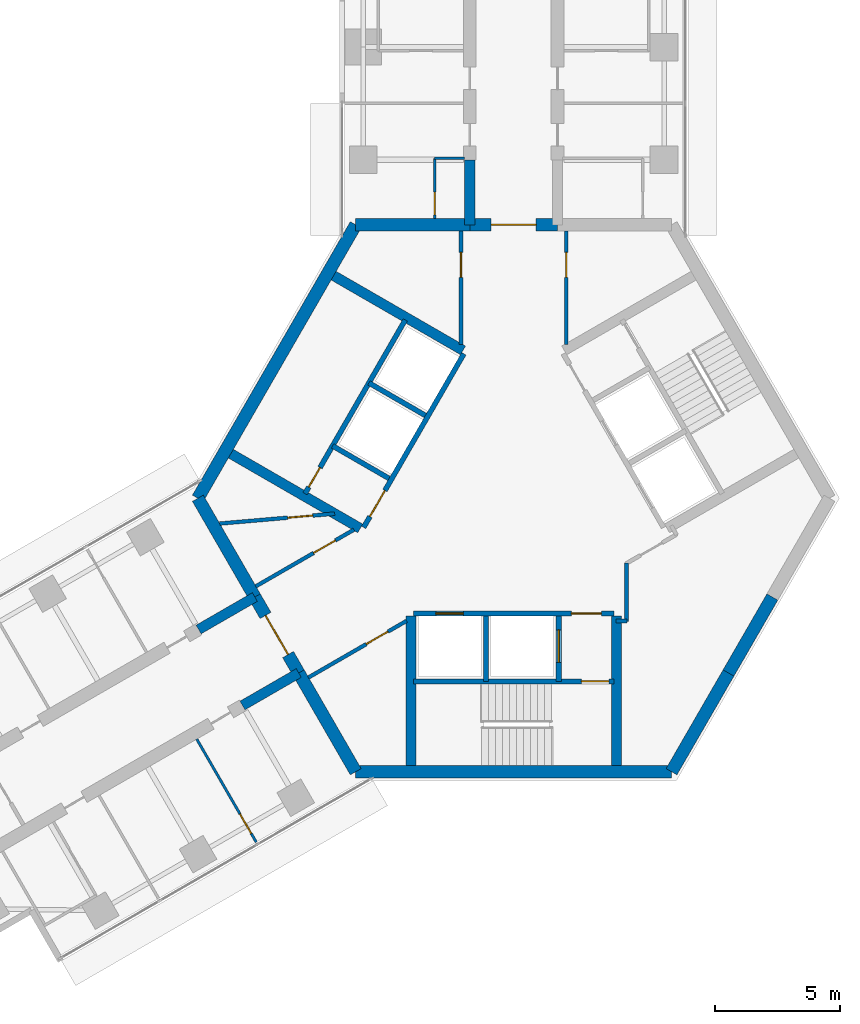
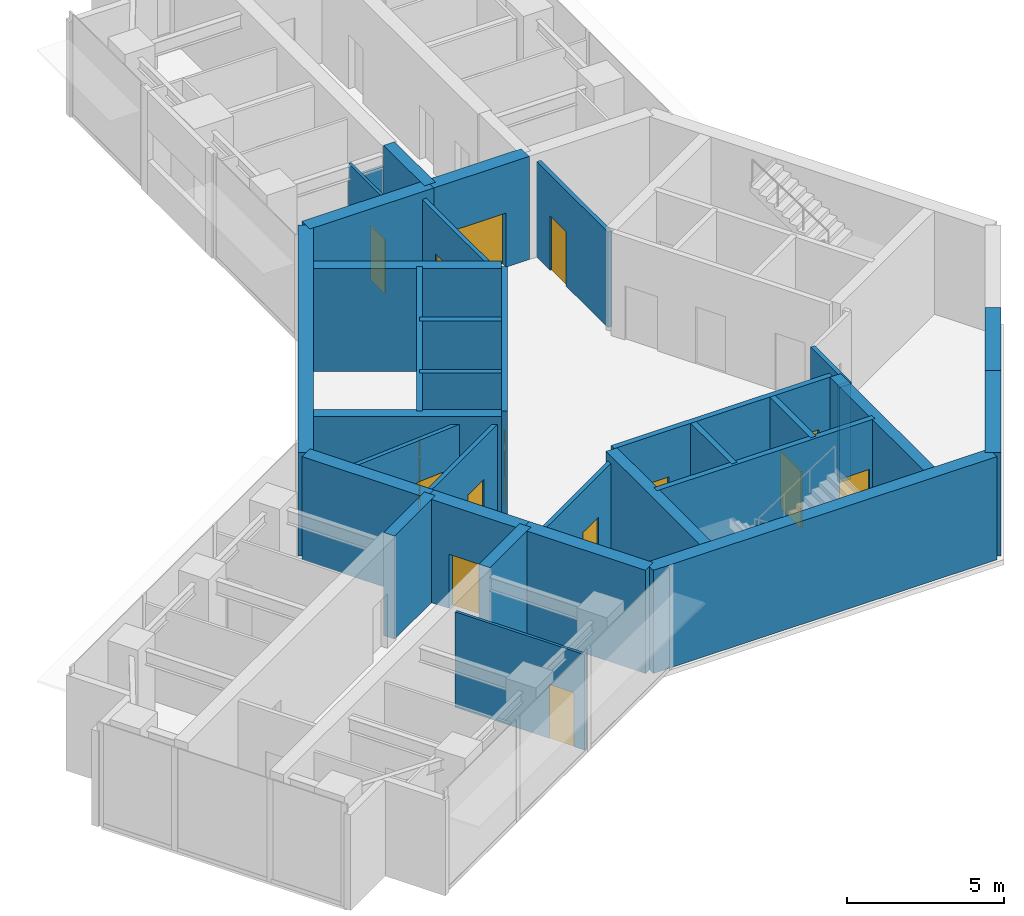
# One storey, part 14 of 17: 34 walls, 15 doors, 15 openings.
"""IFC4 building model written with IfcOpenShell, lengths in metres."""

from ifc_helpers import new_model, si_unit, direction, frame, frame_2d, origin, place, context, subcontext, project, spatial, rectangle, extrude, material, layer, layer_set, type_object, element, fill, save


model = new_model("IFC4")

# Units and contexts
model_context = context("Model", 3, precision=1e-05, world=origin(), true_north=direction((0.0, 1.0)))
body_context = subcontext(model_context, "Body", "Model", "MODEL_VIEW")
ifc_project = project(units=[si_unit("LENGTHUNIT", "METRE"), si_unit("AREAUNIT", "SQUARE_METRE"), si_unit("VOLUMEUNIT", "CUBIC_METRE"), si_unit("PLANEANGLEUNIT", "RADIAN"), si_unit("MASSUNIT", "GRAM", prefix="KILO")], contexts=[model_context])

# Site, building, storey
site_placement = place(None, origin())
site = spatial("IfcSite", under=ifc_project, at=site_placement, CompositionType="ELEMENT")
building_placement = place(site_placement, origin())
building = spatial("IfcBuilding", under=site, at=building_placement, Name="Upepo Twin Towers", CompositionType="ELEMENT")
storey_placement = place(building_placement, frame((0.0, 0.0, 234.5)))
storey = spatial("IfcBuildingStorey", under=building, at=storey_placement, Name="L57", CompositionType="ELEMENT", Elevation=234.5)

# Walls
ifc_material_1 = material(Name="Concrete C60/75", Category="concrete")
ifc_layer_1 = layer(ifc_material_1, 0.39990234375)
ifc_layer_set_1 = layer_set([ifc_layer_1], Name="Concrete C60/75")
wall_type_1 = type_object("IfcWallType", Name="Buttress wall 400 RC", PredefinedType="SHEAR", material=ifc_layer_set_1)
wall_1_placement = place(storey_placement, frame((56.75, -7.091552734375, 0.0), z_axis=(0.0, 0.0, 1.0), x_axis=(0.0, 1.0, 0.0)))
element("IfcWall", 1, at=wall_1_placement, inside=storey, type_object=wall_type_1, Name="T2 wing A buttress wall L", PredefinedType="SHEAR", context=body_context, shape_type="SweptSolid", body=[
    extrude(rectangle(XDim=2.591552734375, YDim=0.39990234375, at=frame_2d((1.2958984375, 0.0))), origin(), (0.0, 0.0, 1.0), 4.0),
])
for number, where, z_axis, x_axis, name in (
    (2, (49.92822265625, -24.9697265625, 0.0), (0.0, 0.0, 1.0), (-0.866031863473, -0.499988811324, 0.0), "T2 wing B buttress wall L"),
    (3, (48.17822265625, -21.938720703125, 0.0), (0.0, 0.0, 1.0), (-0.866072649678, -0.499918158782, 0.0), "T2 wing B buttress wall R"),
):
    element("IfcWall", number, at=place(storey_placement, frame(where, z_axis=z_axis, x_axis=x_axis)), inside=storey, type_object=wall_type_1, Name=name, PredefinedType="SHEAR", context=body_context, shape_type="SweptSolid", body=[
        extrude(rectangle(XDim=2.591796875, YDim=0.39990234375, at=frame_2d((1.2958984375, 0.0))), origin(), (0.0, 0.0, 1.0), 4.0),
    ])

# Wall, opening, door
ifc_material_2 = material(Name="Concrete C60/75", Category="concrete")
ifc_layer_2 = layer(ifc_material_2, 0.5)
ifc_layer_set_2 = layer_set([ifc_layer_2], Name="Concrete C60/75")
wall_type_2 = type_object("IfcWallType", Name="Core wall 500 RC", PredefinedType="SHEAR", material=ifc_layer_set_2)
wall_2_placement = place(storey_placement, frame((60.25, -7.091552734375, 0.0), z_axis=(0.0, 0.0, 1.0), x_axis=(-1.0, 0.0, 0.0)))
wall_2 = element("IfcWall", 4, at=wall_2_placement, inside=storey, type_object=wall_type_2, Name="T2 core wall 000", PredefinedType="SHEAR", context=body_context, shape_type="SweptSolid", body=[
    extrude(rectangle(XDim=3.5, YDim=0.5, at=frame_2d((1.75, 0.0))), origin(), (0.0, 0.0, 1.0), 4.0),
])
opening_1_placement = place(wall_2_placement, frame((0.85009765625, 0.0, 0.0)))
opening_1 = element("IfcOpeningElement", 5, at=opening_1_placement, cuts=wall_2, Name="Opening D2", PredefinedType="OPENING", context=body_context, shape_type="SweptSolid", body=[
    extrude(rectangle(XDim=1.800048828125, YDim=2.10009765625, at=frame_2d((0.89990234375, 1.050048828125))), frame((0.0, 0.260009765625, 0.0), z_axis=(0.0, -1.0, 0.0), x_axis=(1.0, 0.0, 0.0)), (0.0, 0.0, 1.0), 0.52001953125),
])
ifc_material_3 = material(Name="Timber doorset", Category="wood")
door_type_1 = type_object("IfcDoorType", Name="Corridor double door 1800 FD60", OperationType="DOUBLE_DOOR_DOUBLE_SWING", PredefinedType="DOOR", material=ifc_material_3)
door_1_placement = place(opening_1_placement, origin())
door_1 = element("IfcDoor", 6, at=door_1_placement, inside=storey, type_object=door_type_1, Name="T2 L57 wing A corridor door", OperationType="DOUBLE_DOOR_DOUBLE_SWING", OverallHeight=2.10009765625, OverallWidth=1.800048828125, PredefinedType="DOOR", context=body_context, shape_type="SweptSolid", body=[
    extrude(rectangle(XDim=1.800048828125, YDim=2.10009765625, at=frame_2d((0.89990234375, 1.050048828125))), frame((0.0, 0.02490234375, 0.0), z_axis=(0.0, -1.0, 0.0), x_axis=(1.0, 0.0, 0.0)), (0.0, 0.0, 1.0), 0.050048828125),
])
fill(opening_1, door_1)

# Walls
wall_3_placement = place(storey_placement, frame((56.75, -7.091552734375, 0.0), z_axis=(0.0, 0.0, 1.0), x_axis=(-1.0, 0.0, 0.0)))
element("IfcWall", 7, at=wall_3_placement, inside=storey, type_object=wall_type_2, Name="T2 core wall 000 L", PredefinedType="SHEAR", context=body_context, shape_type="SweptSolid", body=[
    extrude(rectangle(XDim=4.5478515625, YDim=0.5, at=frame_2d((2.27392578125, 0.0))), origin(), (0.0, 0.0, 1.0), 4.0),
])
wall_4_placement = place(storey_placement, frame((52.2021484375, -7.091552734375, 0.0), z_axis=(0.0, 0.0, 1.0), x_axis=(-0.500005998175, -0.866021940709, 0.0)))
element("IfcWall", 8, at=wall_4_placement, inside=storey, type_object=wall_type_2, Name="T2 core wall 060", PredefinedType="SHEAR", context=body_context, shape_type="SweptSolid", body=[
    extrude(rectangle(XDim=12.595947265625, YDim=0.5, at=frame_2d((6.2978515625, 0.0))), origin(), (0.0, 0.0, 1.0), 4.0),
])
wall_5_placement = place(storey_placement, frame((45.904052734375, -18.0, 0.0), z_axis=(0.0, 0.0, 1.0), x_axis=(0.500024481964, -0.866011268655, 0.0)))
element("IfcWall", 9, at=wall_5_placement, inside=storey, type_object=wall_type_2, Name="T2 core wall 120 R", PredefinedType="SHEAR", context=body_context, shape_type="SweptSolid", body=[
    extrude(rectangle(XDim=4.548095703125, YDim=0.5, at=frame_2d((2.27392578125, 0.0))), origin(), (0.0, 0.0, 1.0), 4.0),
])

# Wall, opening, door
wall_6_placement = place(storey_placement, frame((48.17822265625, -21.938720703125, 0.0), z_axis=(0.0, 0.0, 1.0), x_axis=(0.500010275428, -0.866019471182, 0.0)))
wall_6 = element("IfcWall", 10, at=wall_6_placement, inside=storey, type_object=wall_type_2, Name="T2 core wall 120", PredefinedType="SHEAR", context=body_context, shape_type="SweptSolid", body=[
    extrude(rectangle(XDim=3.5, YDim=0.5, at=frame_2d((1.75, 0.0))), origin(), (0.0, 0.0, 1.0), 4.0),
])
opening_2_placement = place(wall_6_placement, frame((0.85009765625, 0.0, 0.0)))
opening_2 = element("IfcOpeningElement", 11, at=opening_2_placement, cuts=wall_6, Name="Opening D2", PredefinedType="OPENING", context=body_context, shape_type="SweptSolid", body=[
    extrude(rectangle(XDim=1.800048828125, YDim=2.10009765625, at=frame_2d((0.89990234375, 1.050048828125))), frame((0.0, 0.260009765625, 0.0), z_axis=(0.0, -1.0, 0.0), x_axis=(1.0, 0.0, 0.0)), (0.0, 0.0, 1.0), 0.52001953125),
])
door_2_placement = place(opening_2_placement, origin())
door_2 = element("IfcDoor", 12, at=door_2_placement, inside=storey, type_object=door_type_1, Name="T2 L57 wing B corridor door", OperationType="DOUBLE_DOOR_DOUBLE_SWING", OverallHeight=2.10009765625, OverallWidth=1.800048828125, PredefinedType="DOOR", context=body_context, shape_type="SweptSolid", body=[
    extrude(rectangle(XDim=1.800048828125, YDim=2.10009765625, at=frame_2d((0.89990234375, 1.050048828125))), frame((0.0, 0.02490234375, 0.0), z_axis=(0.0, -1.0, 0.0), x_axis=(1.0, 0.0, 0.0)), (0.0, 0.0, 1.0), 0.050048828125),
])
fill(opening_2, door_2)

# Walls
wall_7_placement = place(storey_placement, frame((49.92822265625, -24.9697265625, 0.0), z_axis=(0.0, 0.0, 1.0), x_axis=(0.499984222037, -0.866034513004, 0.0)))
element("IfcWall", 13, at=wall_7_placement, inside=storey, type_object=wall_type_2, Name="T2 core wall 120 L", PredefinedType="SHEAR", context=body_context, shape_type="SweptSolid", body=[
    extrude(rectangle(XDim=4.548095703125, YDim=0.5, at=frame_2d((2.27392578125, 0.0))), origin(), (0.0, 0.0, 1.0), 4.0),
])
wall_8_placement = place(storey_placement, frame((52.2021484375, -28.908447265625, 0.0), z_axis=(0.0, 0.0, 1.0), x_axis=(1.0, 0.0, 0.0)))
element("IfcWall", 14, at=wall_8_placement, inside=storey, type_object=wall_type_2, Name="T2 core wall 180", PredefinedType="SHEAR", context=body_context, shape_type="SweptSolid", body=[
    extrude(rectangle(XDim=12.595703125, YDim=0.5, at=frame_2d((6.2978515625, 0.0))), origin(), (0.0, 0.0, 1.0), 4.0),
])
wall_9_placement = place(storey_placement, frame((64.7978515625, -28.908447265625, 0.0), z_axis=(0.0, 0.0, 1.0), x_axis=(0.499984222037, 0.866034513004, 0.0)))
element("IfcWall", 15, at=wall_9_placement, inside=storey, type_object=wall_type_2, Name="T2 core wall 240 R", PredefinedType="SHEAR", context=body_context, shape_type="SweptSolid", body=[
    extrude(rectangle(XDim=4.548095703125, YDim=0.5, at=frame_2d((2.27392578125, 0.0))), origin(), (0.0, 0.0, 1.0), 4.0),
])
wall_10_placement = place(storey_placement, frame((67.07177734375, -24.9697265625, 0.0), z_axis=(0.0, 0.0, 1.0), x_axis=(0.500010275428, 0.866019471182, 0.0)))
element("IfcWall", 16, at=wall_10_placement, inside=storey, type_object=wall_type_2, Name="T2 core wall 240", PredefinedType="SHEAR", context=body_context, shape_type="SweptSolid", body=[
    extrude(rectangle(XDim=3.5, YDim=0.5, at=frame_2d((1.75, 0.0))), origin(), (0.0, 0.0, 1.0), 4.0),
])

# Wall, opening, door
ifc_material_4 = material(Name="Gypsum board on steel studs", Category="steel")
ifc_layer_3 = layer(ifc_material_4, 0.10009765625)
ifc_layer_set_3 = layer_set([ifc_layer_3], Name="Office partition 100 stud")
wall_type_3 = type_object("IfcWallType", Name="Office partition 100 stud", PredefinedType="PARTITIONING", material=ifc_layer_set_3)
wall_11_placement = place(storey_placement, frame((55.35009765625, -6.842041015625, 0.0), z_axis=(0.0, 0.0, 1.0), x_axis=(0.0, 1.0, 0.0)))
wall_11 = element("IfcWall", 17, at=wall_11_placement, inside=storey, type_object=wall_type_3, Name="T2 WC bay partition AL at 11.16", PredefinedType="PARTITIONING", context=body_context, shape_type="SweptSolid", body=[
    extrude(rectangle(XDim=2.400146484375, YDim=0.10009765625, at=frame_2d((1.2001953125, 0.0))), origin(), (0.0, 0.0, 1.0), 3.699951171875),
])
opening_3_placement = place(wall_11_placement, frame((0.14990234375, 0.0, 0.0)))
opening_3 = element("IfcOpeningElement", 18, at=opening_3_placement, cuts=wall_11, Name="Opening D14", PredefinedType="OPENING", context=body_context, shape_type="SweptSolid", body=[
    extrude(rectangle(XDim=0.89990234375, YDim=2.10009765625, at=frame_2d((0.449951171875, 1.050048828125))), frame((0.0, 0.06005859375, 0.0), z_axis=(0.0, -1.0, 0.0), x_axis=(1.0, 0.0, 0.0)), (0.0, 0.0, 1.0), 0.1201171875),
])
ifc_material_5 = material(Name="Timber doorset", Category="wood")
door_type_2 = type_object("IfcDoorType", Name="Office door 900 FD30", OperationType="SINGLE_SWING_LEFT", PredefinedType="DOOR", material=ifc_material_5)
door_3_placement = place(opening_3_placement, origin())
door_3 = element("IfcDoor", 19, at=door_3_placement, inside=storey, type_object=door_type_2, Name="T2 L57 WC bay inner room door", OperationType="SINGLE_SWING_LEFT", OverallHeight=2.10009765625, OverallWidth=0.89990234375, PredefinedType="DOOR", context=body_context, shape_type="SweptSolid", body=[
    extrude(rectangle(XDim=0.89990234375, YDim=2.10009765625, at=frame_2d((0.449951171875, 1.050048828125))), frame((0.0, 0.02490234375, 0.0), z_axis=(0.0, -1.0, 0.0), x_axis=(1.0, 0.0, 0.0)), (0.0, 0.0, 1.0), 0.050048828125),
])
fill(opening_3, door_3)

# Wall
wall_12_placement = place(storey_placement, frame((56.550048828125, -4.44189453125, 0.0), z_axis=(0.0, 0.0, 1.0), x_axis=(-1.0, 0.0, 0.0)))
element("IfcWall", 20, at=wall_12_placement, inside=storey, type_object=wall_type_3, Name="T2 WC bay partition AL end at 13.56", PredefinedType="PARTITIONING", context=body_context, shape_type="SweptSolid", body=[
    extrude(rectangle(XDim=1.199951171875, YDim=0.10009765625, at=frame_2d((0.60009765625, 0.0))), origin(), (0.0, 0.0, 1.0), 3.1669921875),
])

# Wall, opening, door
wall_13_placement = place(storey_placement, frame((45.860107421875, -27.60693359375, 0.0), z_axis=(0.0, 0.0, 1.0), x_axis=(0.499986429846, -0.866033238375, 0.0)))
wall_13 = element("IfcWall", 21, at=wall_13_placement, inside=storey, type_object=wall_type_3, Name="T2 partition BL at 15.75", PredefinedType="PARTITIONING", context=body_context, shape_type="SweptSolid", body=[
    extrude(rectangle(XDim=4.750244140625, YDim=0.10009765625, at=frame_2d((2.375, 0.0))), origin(), (0.0, 0.0, 1.0), 3.699951171875),
])
opening_4_placement = place(wall_13_placement, frame((3.449951171875, 0.0, 0.0)))
opening_4 = element("IfcOpeningElement", 22, at=opening_4_placement, cuts=wall_13, Name="Opening D14", PredefinedType="OPENING", context=body_context, shape_type="SweptSolid", body=[
    extrude(rectangle(XDim=0.89990234375, YDim=2.10009765625, at=frame_2d((0.449951171875, 1.050048828125))), frame((0.0, 0.06005859375, 0.0), z_axis=(0.0, -1.0, 0.0), x_axis=(1.0, 0.0, 0.0)), (0.0, 0.0, 1.0), 0.1201171875),
])
door_4_placement = place(opening_4_placement, origin())
door_4 = element("IfcDoor", 23, at=door_4_placement, inside=storey, type_object=door_type_2, Name="T2 L57 connecting door", OperationType="SINGLE_SWING_RIGHT", OverallHeight=2.10009765625, OverallWidth=0.89990234375, PredefinedType="DOOR", context=body_context, shape_type="SweptSolid", body=[
    extrude(rectangle(XDim=0.89990234375, YDim=2.10009765625, at=frame_2d((0.449951171875, 1.050048828125))), frame((0.0, 0.02490234375, 0.0), z_axis=(0.0, -1.0, 0.0), x_axis=(1.0, 0.0, 0.0)), (0.0, 0.0, 1.0), 0.050048828125),
])
fill(opening_4, door_4)

ifc_material_6 = material(Name="Concrete C40/50", Category="concrete")
ifc_layer_4 = layer(ifc_material_6, 0.199951171875)
ifc_layer_set_4 = layer_set([ifc_layer_4], Name="Concrete C40/50")
wall_type_4 = type_object("IfcWallType", Name="Shaft wall 200 RC", PredefinedType="SHEAR", material=ifc_layer_set_4)
wall_14_placement = place(storey_placement, frame((56.516357421875, -12.23583984375, 0.0), z_axis=(0.0, 0.0, 1.0), x_axis=(-0.49999894854, -0.866026010844, 0.0)))
wall_14 = element("IfcWall", 24, at=wall_14_placement, inside=storey, type_object=wall_type_4, Name="T2 core W60 front wall", PredefinedType="SHEAR", context=body_context, shape_type="SweptSolid", body=[
    extrude(rectangle(XDim=8.0, YDim=0.199951171875, at=frame_2d((4.0, 0.0))), origin(), (0.0, 0.0, 1.0), 4.0),
])
opening_5_placement = place(wall_14_placement, frame((6.300048828125, 0.0, 0.0)))
opening_5 = element("IfcOpeningElement", 25, at=opening_5_placement, cuts=wall_14, Name="Opening D4", PredefinedType="OPENING", context=body_context, shape_type="SweptSolid", body=[
    extrude(rectangle(XDim=1.199951171875, YDim=2.10009765625, at=frame_2d((0.60009765625, 1.050048828125))), frame((0.0, 0.10986328125, 0.0), z_axis=(0.0, -1.0, 0.0), x_axis=(1.0, 0.0, 0.0)), (0.0, 0.0, 1.0), 0.219970703125),
])
ifc_material_7 = material(Name="Timber doorset", Category="wood")
door_type_3 = type_object("IfcDoorType", Name="Lobby door 1200 FD60", OperationType="SINGLE_SWING_LEFT", PredefinedType="DOOR", material=ifc_material_7)
door_5_placement = place(opening_5_placement, origin())
door_5 = element("IfcDoor", 26, at=door_5_placement, inside=storey, type_object=door_type_3, Name="T2 L57 W60 lobby door", OperationType="SINGLE_SWING_RIGHT", OverallHeight=2.10009765625, OverallWidth=1.199951171875, PredefinedType="DOOR", context=body_context, shape_type="SweptSolid", body=[
    extrude(rectangle(XDim=1.199951171875, YDim=2.10009765625, at=frame_2d((0.60009765625, 1.050048828125))), frame((0.0, 0.02490234375, 0.0), z_axis=(0.0, -1.0, 0.0), x_axis=(1.0, 0.0, 0.0)), (0.0, 0.0, 1.0), 0.050048828125),
])
fill(opening_5, door_5)

# Walls
for number, where, z_axis, x_axis, name in (
    (27, (54.979736328125, -14.697265625, 0.0), (0.0, 0.0, 1.0), (-0.866062058628, 0.499936506574, 0.0), "T2 core W60 shaft divider"),
    (28, (53.52978515625, -17.208740234375, 0.0), (0.0, 0.0, 1.0), (-0.866062058628, 0.499936506574, 0.0), "T2 core W60 lobby wall"),
):
    element("IfcWall", number, at=place(storey_placement, frame(where, z_axis=z_axis, x_axis=x_axis)), inside=storey, type_object=wall_type_4, Name=name, PredefinedType="SHEAR", context=body_context, shape_type="SweptSolid", body=[
        extrude(rectangle(XDim=2.599853515625, YDim=0.199951171875, at=frame_2d((1.2998046875, 0.0))), origin(), (0.0, 0.0, 1.0), 4.0),
    ])

# Wall, opening, door
wall_15_placement = place(storey_placement, frame((54.177978515625, -10.885986328125, 0.0), z_axis=(0.0, 0.0, 1.0), x_axis=(-0.49999894854, -0.866026010844, 0.0)))
wall_15 = element("IfcWall", 29, at=wall_15_placement, inside=storey, type_object=wall_type_4, Name="T2 core W60 stair wall", PredefinedType="SHEAR", context=body_context, shape_type="SweptSolid", body=[
    extrude(rectangle(XDim=8.0, YDim=0.199951171875, at=frame_2d((4.0, 0.0))), origin(), (0.0, 0.0, 1.0), 4.0),
])
opening_6_placement = place(wall_15_placement, frame((6.800048828125, 0.0, 0.0)))
opening_6 = element("IfcOpeningElement", 30, at=opening_6_placement, cuts=wall_15, Name="Opening D9", PredefinedType="OPENING", context=body_context, shape_type="SweptSolid", body=[
    extrude(rectangle(XDim=0.89990234375, YDim=2.10009765625, at=frame_2d((0.449951171875, 1.050048828125))), frame((0.0, 0.10986328125, 0.0), z_axis=(0.0, -1.0, 0.0), x_axis=(1.0, 0.0, 0.0)), (0.0, 0.0, 1.0), 0.219970703125),
])
ifc_material_8 = material(Name="Timber doorset", Category="wood")
door_type_4 = type_object("IfcDoorType", Name="Riser door 900 FD60", OperationType="SINGLE_SWING_LEFT", PredefinedType="DOOR", material=ifc_material_8)
door_6_placement = place(opening_6_placement, origin())
door_6 = element("IfcDoor", 31, at=door_6_placement, inside=storey, type_object=door_type_4, Name="T2 L57 riser door", OperationType="SINGLE_SWING_RIGHT", OverallHeight=2.10009765625, OverallWidth=0.89990234375, PredefinedType="DOOR", context=body_context, shape_type="SweptSolid", body=[
    extrude(rectangle(XDim=0.89990234375, YDim=2.10009765625, at=frame_2d((0.449951171875, 1.050048828125))), frame((0.0, 0.02490234375, 0.0), z_axis=(0.0, -1.0, 0.0), x_axis=(1.0, 0.0, 0.0)), (0.0, 0.0, 1.0), 0.050048828125),
])
fill(opening_6, door_6)

# Wall, openings, doors
wall_16_placement = place(storey_placement, frame((54.5, -22.60009765625, 0.0), z_axis=(0.0, 0.0, 1.0), x_axis=(1.0, 0.0, 0.0)))
wall_16 = element("IfcWall", 32, at=wall_16_placement, inside=storey, type_object=wall_type_4, Name="T2 core W180 front wall", PredefinedType="SHEAR", context=body_context, shape_type="SweptSolid", body=[
    extrude(rectangle(XDim=8.0, YDim=0.199951171875, at=frame_2d((4.0, 0.0))), origin(), (0.0, 0.0, 1.0), 4.0),
])
opening_7_placement = place(wall_16_placement, frame((6.300048828125, 0.0, 0.0)))
opening_7 = element("IfcOpeningElement", 33, at=opening_7_placement, cuts=wall_16, Name="Opening D4", PredefinedType="OPENING", context=body_context, shape_type="SweptSolid", body=[
    extrude(rectangle(XDim=1.199951171875, YDim=2.10009765625, at=frame_2d((0.60009765625, 1.050048828125))), frame((0.0, 0.10986328125, 0.0), z_axis=(0.0, -1.0, 0.0), x_axis=(1.0, 0.0, 0.0)), (0.0, 0.0, 1.0), 0.219970703125),
])
opening_8_placement = place(wall_16_placement, frame((0.89990234375, 0.0, 0.0)))
opening_8 = element("IfcOpeningElement", 34, at=opening_8_placement, cuts=wall_16, Name="Opening LD1", PredefinedType="OPENING", context=body_context, shape_type="SweptSolid", body=[
    extrude(rectangle(XDim=1.10009765625, YDim=2.199951171875, at=frame_2d((0.550048828125, 1.10009765625))), frame((0.0, 0.10986328125, 0.0), z_axis=(0.0, -1.0, 0.0), x_axis=(1.0, 0.0, 0.0)), (0.0, 0.0, 1.0), 0.219970703125),
])
ifc_material_9 = material(Name="Steel doorset", Category="steel")
door_type_5 = type_object("IfcDoorType", Name="Lift landing door 1100", OperationType="DOUBLE_DOOR_SLIDING", PredefinedType="DOOR", material=ifc_material_9)
door_7_placement = place(opening_8_placement, origin())
door_7 = element("IfcDoor", 35, at=door_7_placement, inside=storey, type_object=door_type_5, Name="T2 L57 lift SV1 landing door", OperationType="DOUBLE_DOOR_SLIDING", OverallHeight=2.199951171875, OverallWidth=1.10009765625, PredefinedType="DOOR", context=body_context, shape_type="SweptSolid", body=[
    extrude(rectangle(XDim=1.10009765625, YDim=2.199951171875, at=frame_2d((0.550048828125, 1.10009765625))), frame((0.0, 0.02490234375, 0.0), z_axis=(0.0, -1.0, 0.0), x_axis=(1.0, 0.0, 0.0)), (0.0, 0.0, 1.0), 0.050048828125),
])
fill(opening_8, door_7)
door_8_placement = place(opening_7_placement, origin())
door_8 = element("IfcDoor", 36, at=door_8_placement, inside=storey, type_object=door_type_3, Name="T2 L57 W180 lobby door", OperationType="SINGLE_SWING_RIGHT", OverallHeight=2.10009765625, OverallWidth=1.199951171875, PredefinedType="DOOR", context=body_context, shape_type="SweptSolid", body=[
    extrude(rectangle(XDim=1.199951171875, YDim=2.10009765625, at=frame_2d((0.60009765625, 1.050048828125))), frame((0.0, 0.02490234375, 0.0), z_axis=(0.0, -1.0, 0.0), x_axis=(1.0, 0.0, 0.0)), (0.0, 0.0, 1.0), 0.050048828125),
])
fill(opening_7, door_8)

# Wall
wall_17_placement = place(storey_placement, frame((57.39990234375, -22.699951171875, 0.0), z_axis=(0.0, 0.0, 1.0), x_axis=(0.0, -1.0, 0.0)))
element("IfcWall", 37, at=wall_17_placement, inside=storey, type_object=wall_type_4, Name="T2 core W180 shaft divider", PredefinedType="SHEAR", context=body_context, shape_type="SweptSolid", body=[
    extrude(rectangle(XDim=2.60009765625, YDim=0.199951171875, at=frame_2d((1.300048828125, 0.0))), origin(), (0.0, 0.0, 1.0), 4.0),
])

# Wall, opening, door
wall_18_placement = place(storey_placement, frame((60.300048828125, -22.699951171875, 0.0), z_axis=(0.0, 0.0, 1.0), x_axis=(0.0, -1.0, 0.0)))
wall_18 = element("IfcWall", 38, at=wall_18_placement, inside=storey, type_object=wall_type_4, Name="T2 core W180 lobby wall", PredefinedType="SHEAR", context=body_context, shape_type="SweptSolid", body=[
    extrude(rectangle(XDim=2.60009765625, YDim=0.199951171875, at=frame_2d((1.300048828125, 0.0))), origin(), (0.0, 0.0, 1.0), 4.0),
])
opening_9_placement = place(wall_18_placement, frame((0.550048828125, 0.0, 0.0)))
opening_9 = element("IfcOpeningElement", 39, at=opening_9_placement, cuts=wall_18, Name="Opening LD2", PredefinedType="OPENING", context=body_context, shape_type="SweptSolid", body=[
    extrude(rectangle(XDim=1.300048828125, YDim=2.199951171875, at=frame_2d((0.64990234375, 1.10009765625))), frame((0.0, 0.10986328125, 0.0), z_axis=(0.0, -1.0, 0.0), x_axis=(1.0, 0.0, 0.0)), (0.0, 0.0, 1.0), 0.219970703125),
])
ifc_material_10 = material(Name="Steel doorset", Category="steel")
door_type_6 = type_object("IfcDoorType", Name="Firefighting lift landing door 1300", OperationType="DOUBLE_DOOR_SLIDING", PredefinedType="DOOR", material=ifc_material_10)
door_9_placement = place(opening_9_placement, origin())
door_9 = element("IfcDoor", 40, at=door_9_placement, inside=storey, type_object=door_type_6, Name="T2 L57 firefighting lift landing door", OperationType="DOUBLE_DOOR_SLIDING", OverallHeight=2.199951171875, OverallWidth=1.300048828125, PredefinedType="DOOR", context=body_context, shape_type="SweptSolid", body=[
    extrude(rectangle(XDim=1.300048828125, YDim=2.199951171875, at=frame_2d((0.64990234375, 1.10009765625))), frame((0.0, 0.02490234375, 0.0), z_axis=(0.0, -1.0, 0.0), x_axis=(1.0, 0.0, 0.0)), (0.0, 0.0, 1.0), 0.050048828125),
])
fill(opening_9, door_9)

wall_19_placement = place(storey_placement, frame((54.5, -25.300048828125, 0.0), z_axis=(0.0, 0.0, 1.0), x_axis=(1.0, 0.0, 0.0)))
wall_19 = element("IfcWall", 41, at=wall_19_placement, inside=storey, type_object=wall_type_4, Name="T2 core W180 stair wall", PredefinedType="SHEAR", context=body_context, shape_type="SweptSolid", body=[
    extrude(rectangle(XDim=8.0, YDim=0.199951171875, at=frame_2d((4.0, 0.0))), origin(), (0.0, 0.0, 1.0), 4.0),
])
opening_10_placement = place(wall_19_placement, frame((6.699951171875, 0.0, 0.0)))
opening_10 = element("IfcOpeningElement", 42, at=opening_10_placement, cuts=wall_19, Name="Opening D3", PredefinedType="OPENING", context=body_context, shape_type="SweptSolid", body=[
    extrude(rectangle(XDim=1.10009765625, YDim=2.10009765625, at=frame_2d((0.550048828125, 1.050048828125))), frame((0.0, 0.10986328125, 0.0), z_axis=(0.0, -1.0, 0.0), x_axis=(1.0, 0.0, 0.0)), (0.0, 0.0, 1.0), 0.219970703125),
])
ifc_material_11 = material(Name="Timber doorset", Category="wood")
door_type_7 = type_object("IfcDoorType", Name="Stair door 1100 FD60", OperationType="SINGLE_SWING_LEFT", PredefinedType="DOOR", material=ifc_material_11)
door_10_placement = place(opening_10_placement, origin())
door_10 = element("IfcDoor", 43, at=door_10_placement, inside=storey, type_object=door_type_7, Name="T2 L57 stair door", OperationType="SINGLE_SWING_RIGHT", OverallHeight=2.10009765625, OverallWidth=1.10009765625, PredefinedType="DOOR", context=body_context, shape_type="SweptSolid", body=[
    extrude(rectangle(XDim=1.10009765625, YDim=2.10009765625, at=frame_2d((0.550048828125, 1.050048828125))), frame((0.0, 0.02490234375, 0.0), z_axis=(0.0, -1.0, 0.0), x_axis=(1.0, 0.0, 0.0)), (0.0, 0.0, 1.0), 0.050048828125),
])
fill(opening_10, door_10)

# Walls
ifc_material_12 = material(Name="Concrete C40/50", Category="concrete")
ifc_layer_5 = layer(ifc_material_12, 0.39990234375)
ifc_layer_set_5 = layer_set([ifc_layer_5], Name="Concrete C40/50")
wall_type_5 = type_object("IfcWallType", Name="Shaft wall 400 RC", PredefinedType="SHEAR", material=ifc_layer_set_5)
wall_20_placement = place(storey_placement, frame((52.379638671875, -19.20068359375, 0.0), z_axis=(0.0, 0.0, 1.0), x_axis=(-0.866012946976, 0.500021575205, 0.0)))
element("IfcWall", 44, at=wall_20_placement, inside=storey, type_object=wall_type_5, Name="T2 core W60 side wall N", PredefinedType="SHEAR", context=body_context, shape_type="SweptSolid", body=[
    extrude(rectangle(XDim=5.958251953125, YDim=0.39990234375, at=frame_2d((2.97900390625, 0.0))), origin(), (0.0, 0.0, 1.0), 4.0),
])
for number, where, z_axis, x_axis, name in (
    (45, (56.479736328125, -12.099365234375, 0.0), (0.0, 0.0, 1.0), (-0.86602319114, 0.500003832394, 0.0), "T2 core W60 side wall S"),
    (46, (62.60009765625, -22.699951171875, 0.0), (0.0, 0.0, 1.0), (0.0, -1.0, 0.0), "T2 core W180 side wall N"),
    (47, (54.39990234375, -22.699951171875, 0.0), (0.0, 0.0, 1.0), (0.0, -1.0, 0.0), "T2 core W180 side wall S"),
):
    element("IfcWall", number, at=place(storey_placement, frame(where, z_axis=z_axis, x_axis=x_axis)), inside=storey, type_object=wall_type_5, Name=name, PredefinedType="SHEAR", context=body_context, shape_type="SweptSolid", body=[
        extrude(rectangle(XDim=5.95849609375, YDim=0.39990234375, at=frame_2d((2.979248046875, 0.0))), origin(), (0.0, 0.0, 1.0), 4.0),
    ])
ifc_material_13 = material(Name="Gypsum board on steel studs", Category="steel")
ifc_layer_6 = layer(ifc_material_13, 0.14990234375)
ifc_layer_set_6 = layer_set([ifc_layer_6], Name="Teaching partition 150 acoustic")
wall_type_6 = type_object("IfcWallType", Name="Teaching partition 150 acoustic", PredefinedType="PARTITIONING", material=ifc_layer_set_6)
wall_21_placement = place(storey_placement, frame((63.02001953125, -22.89990234375, 0.0), z_axis=(0.0, 0.0, 1.0), x_axis=(-1.0, 0.0, 0.0)))
element("IfcWall", 48, at=wall_21_placement, inside=storey, type_object=wall_type_6, Name="T2 core room partition 1", PredefinedType="PARTITIONING", context=body_context, shape_type="SweptSolid", body=[
    extrude(rectangle(XDim=0.429931640625, YDim=0.14990234375, at=frame_2d((0.21484375, 0.0))), origin(), (0.0, 0.0, 1.0), 3.699951171875),
])

# Wall, opening, door
wall_22_placement = place(storey_placement, frame((54.230224609375, -22.889892578125, 0.0), z_axis=(0.0, 0.0, 1.0), x_axis=(-0.866006805923, -0.500032211057, 0.0)))
wall_22 = element("IfcWall", 49, at=wall_22_placement, inside=storey, type_object=wall_type_6, Name="T2 core room partition 2", PredefinedType="PARTITIONING", context=body_context, shape_type="SweptSolid", body=[
    extrude(rectangle(XDim=4.525634765625, YDim=0.14990234375, at=frame_2d((2.2626953125, 0.0))), origin(), (0.0, 0.0, 1.0), 3.699951171875),
])
opening_11_placement = place(wall_22_placement, frame((0.857666015625, 0.0, 0.0)))
opening_11 = element("IfcOpeningElement", 50, at=opening_11_placement, cuts=wall_22, Name="Opening D1", PredefinedType="OPENING", context=body_context, shape_type="SweptSolid", body=[
    extrude(rectangle(XDim=1.0, YDim=2.10009765625, at=frame_2d((0.5, 1.050048828125))), frame((0.0, 0.0849609375, 0.0), z_axis=(0.0, -1.0, 0.0), x_axis=(1.0, 0.0, 0.0)), (0.0, 0.0, 1.0), 0.169921875),
])
ifc_material_14 = material(Name="Timber doorset", Category="wood")
door_type_8 = type_object("IfcDoorType", Name="Room door 1000 FD30", OperationType="SINGLE_SWING_LEFT", PredefinedType="DOOR", material=ifc_material_14)
door_11_placement = place(opening_11_placement, origin())
door_11 = element("IfcDoor", 51, at=door_11_placement, inside=storey, type_object=door_type_8, Name="T2 L57 core room door K3", OperationType="SINGLE_SWING_LEFT", OverallHeight=2.10009765625, OverallWidth=1.0, PredefinedType="DOOR", context=body_context, shape_type="SweptSolid", body=[
    extrude(rectangle(XDim=1.0, YDim=2.10009765625, at=frame_2d((0.5, 1.050048828125))), frame((0.0, 0.02490234375, 0.0), z_axis=(0.0, -1.0, 0.0), x_axis=(1.0, 0.0, 0.0)), (0.0, 0.0, 1.0), 0.050048828125),
])
fill(opening_11, door_11)

wall_23_placement = place(storey_placement, frame((48.2109375, -21.515380859375, 0.0), z_axis=(0.0, 0.0, 1.0), x_axis=(0.866043651885, 0.499968392031, 0.0)))
wall_23 = element("IfcWall", 52, at=wall_23_placement, inside=storey, type_object=wall_type_6, Name="T2 core room partition 3", PredefinedType="PARTITIONING", context=body_context, shape_type="SweptSolid", body=[
    extrude(rectangle(XDim=4.525634765625, YDim=0.14990234375, at=frame_2d((2.2626953125, 0.0))), origin(), (0.0, 0.0, 1.0), 3.699951171875),
])
opening_12_placement = place(wall_23_placement, frame((2.66796875, 0.0, 0.0)))
opening_12 = element("IfcOpeningElement", 53, at=opening_12_placement, cuts=wall_23, Name="Opening D1", PredefinedType="OPENING", context=body_context, shape_type="SweptSolid", body=[
    extrude(rectangle(XDim=1.0, YDim=2.10009765625, at=frame_2d((0.5, 1.050048828125))), frame((0.0, 0.0849609375, 0.0), z_axis=(0.0, -1.0, 0.0), x_axis=(1.0, 0.0, 0.0)), (0.0, 0.0, 1.0), 0.169921875),
])
door_12_placement = place(opening_12_placement, origin())
door_12 = element("IfcDoor", 54, at=door_12_placement, inside=storey, type_object=door_type_8, Name="T2 L57 core room door K2", OperationType="SINGLE_SWING_RIGHT", OverallHeight=2.10009765625, OverallWidth=1.0, PredefinedType="DOOR", context=body_context, shape_type="SweptSolid", body=[
    extrude(rectangle(XDim=1.0, YDim=2.10009765625, at=frame_2d((0.5, 1.050048828125))), frame((0.0, 0.02490234375, 0.0), z_axis=(0.0, -1.0, 0.0), x_axis=(1.0, 0.0, 0.0)), (0.0, 0.0, 1.0), 0.050048828125),
])
fill(opening_12, door_12)

wall_24_placement = place(storey_placement, frame((56.39990234375, -11.857421875, 0.0), z_axis=(0.0, 0.0, 1.0), x_axis=(0.0, 1.0, 0.0)))
wall_24 = element("IfcWall", 55, at=wall_24_placement, inside=storey, type_object=wall_type_6, Name="T2 core room partition 4", PredefinedType="PARTITIONING", context=body_context, shape_type="SweptSolid", body=[
    extrude(rectangle(XDim=4.525634765625, YDim=0.14990234375, at=frame_2d((2.2626953125, 0.0))), origin(), (0.0, 0.0, 1.0), 3.699951171875),
])
opening_13_placement = place(wall_24_placement, frame((2.66796875, 0.0, 0.0)))
opening_13 = element("IfcOpeningElement", 56, at=opening_13_placement, cuts=wall_24, Name="Opening D1", PredefinedType="OPENING", context=body_context, shape_type="SweptSolid", body=[
    extrude(rectangle(XDim=1.0, YDim=2.10009765625, at=frame_2d((0.5, 1.050048828125))), frame((0.0, 0.0849609375, 0.0), z_axis=(0.0, -1.0, 0.0), x_axis=(1.0, 0.0, 0.0)), (0.0, 0.0, 1.0), 0.169921875),
])
door_13_placement = place(opening_13_placement, origin())
door_13 = element("IfcDoor", 57, at=door_13_placement, inside=storey, type_object=door_type_8, Name="T2 L57 core room door K6", OperationType="SINGLE_SWING_RIGHT", OverallHeight=2.10009765625, OverallWidth=1.0, PredefinedType="DOOR", context=body_context, shape_type="SweptSolid", body=[
    extrude(rectangle(XDim=1.0, YDim=2.10009765625, at=frame_2d((0.5, 1.050048828125))), frame((0.0, 0.02490234375, 0.0), z_axis=(0.0, -1.0, 0.0), x_axis=(1.0, 0.0, 0.0)), (0.0, 0.0, 1.0), 0.050048828125),
])
fill(opening_13, door_13)

wall_25_placement = place(storey_placement, frame((60.60009765625, -7.331787109375, 0.0), z_axis=(0.0, 0.0, 1.0), x_axis=(0.0, -1.0, 0.0)))
wall_25 = element("IfcWall", 58, at=wall_25_placement, inside=storey, type_object=wall_type_6, Name="T2 core room partition 5", PredefinedType="PARTITIONING", context=body_context, shape_type="SweptSolid", body=[
    extrude(rectangle(XDim=4.525634765625, YDim=0.14990234375, at=frame_2d((2.2626953125, 0.0))), origin(), (0.0, 0.0, 1.0), 3.699951171875),
])
opening_14_placement = place(wall_25_placement, frame((0.857666015625, 0.0, 0.0)))
opening_14 = element("IfcOpeningElement", 59, at=opening_14_placement, cuts=wall_25, Name="Opening D1", PredefinedType="OPENING", context=body_context, shape_type="SweptSolid", body=[
    extrude(rectangle(XDim=1.0, YDim=2.10009765625, at=frame_2d((0.5, 1.050048828125))), frame((0.0, 0.0849609375, 0.0), z_axis=(0.0, -1.0, 0.0), x_axis=(1.0, 0.0, 0.0)), (0.0, 0.0, 1.0), 0.169921875),
])
door_14_placement = place(opening_14_placement, origin())
door_14 = element("IfcDoor", 60, at=door_14_placement, inside=storey, type_object=door_type_8, Name="T2 L57 core room door K5", OperationType="SINGLE_SWING_LEFT", OverallHeight=2.10009765625, OverallWidth=1.0, PredefinedType="DOOR", context=body_context, shape_type="SweptSolid", body=[
    extrude(rectangle(XDim=1.0, YDim=2.10009765625, at=frame_2d((0.5, 1.050048828125))), frame((0.0, 0.02490234375, 0.0), z_axis=(0.0, -1.0, 0.0), x_axis=(1.0, 0.0, 0.0)), (0.0, 0.0, 1.0), 0.050048828125),
])
fill(opening_14, door_14)

# Wall
wall_26_placement = place(storey_placement, frame((63.0, -20.578125, 0.0), z_axis=(0.0, 0.0, 1.0), x_axis=(0.0, -1.0, 0.0)))
element("IfcWall", 61, at=wall_26_placement, inside=storey, type_object=wall_type_6, Name="T2 core room partition 8", PredefinedType="PARTITIONING", context=body_context, shape_type="SweptSolid", body=[
    extrude(rectangle(XDim=2.341796875, YDim=0.14990234375, at=frame_2d((1.1708984375, 0.0))), origin(), (0.0, 0.0, 1.0), 3.699951171875),
])

# Wall, opening, door
wall_27_placement = place(storey_placement, frame((51.36376953125, -18.614013671875, 0.0), z_axis=(0.0, 0.0, 1.0), x_axis=(-0.996314617181, -0.085774026317, 0.0)))
wall_27 = element("IfcWall", 62, at=wall_27_placement, inside=storey, type_object=wall_type_6, Name="T2 core room partition 9", PredefinedType="PARTITIONING", context=body_context, shape_type="SweptSolid", body=[
    extrude(rectangle(XDim=4.60546875, YDim=0.14990234375, at=frame_2d((2.302734375, 0.0))), origin(), (0.0, 0.0, 1.0), 3.699951171875),
])
opening_15_placement = place(wall_27_placement, frame((0.881591796875, 0.0, 0.0)))
opening_15 = element("IfcOpeningElement", 63, at=opening_15_placement, cuts=wall_27, Name="Opening D1", PredefinedType="OPENING", context=body_context, shape_type="SweptSolid", body=[
    extrude(rectangle(XDim=1.0, YDim=2.10009765625, at=frame_2d((0.5, 1.050048828125))), frame((0.0, 0.0849609375, 0.0), z_axis=(0.0, -1.0, 0.0), x_axis=(1.0, 0.0, 0.0)), (0.0, 0.0, 1.0), 0.169921875),
])
door_15_placement = place(opening_15_placement, origin())
door_15 = element("IfcDoor", 64, at=door_15_placement, inside=storey, type_object=door_type_8, Name="T2 L57 core room door K1", OperationType="SINGLE_SWING_LEFT", OverallHeight=2.10009765625, OverallWidth=1.0, PredefinedType="DOOR", context=body_context, shape_type="SweptSolid", body=[
    extrude(rectangle(XDim=1.0, YDim=2.10009765625, at=frame_2d((0.5, 1.050048828125))), frame((0.0, 0.02490234375, 0.0), z_axis=(0.0, -1.0, 0.0), x_axis=(1.0, 0.0, 0.0)), (0.0, 0.0, 1.0), 0.050048828125),
])
fill(opening_15, door_15)

save(model, "model.ifc")
